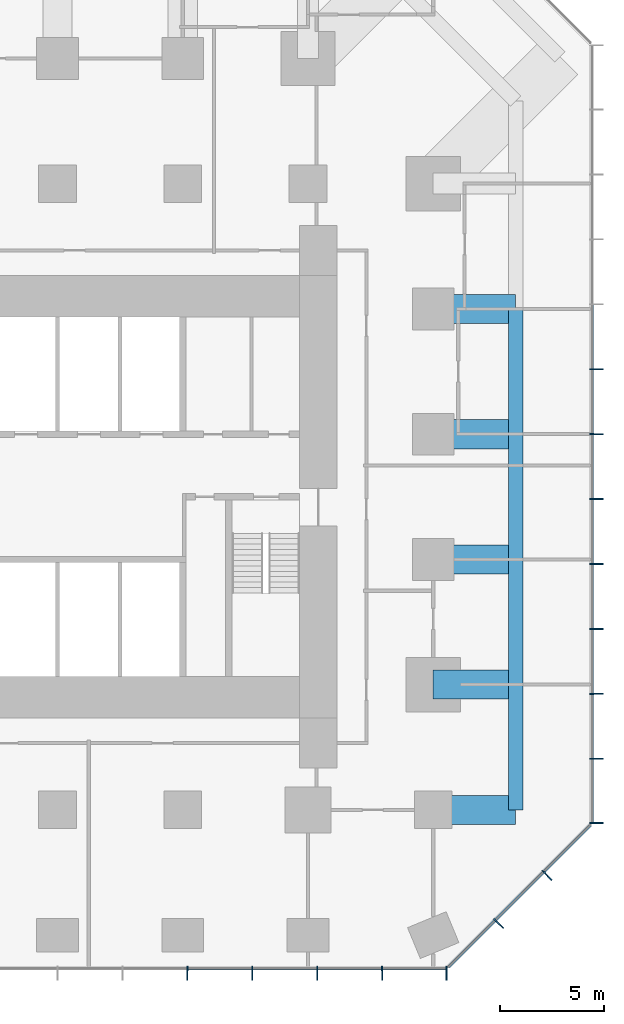
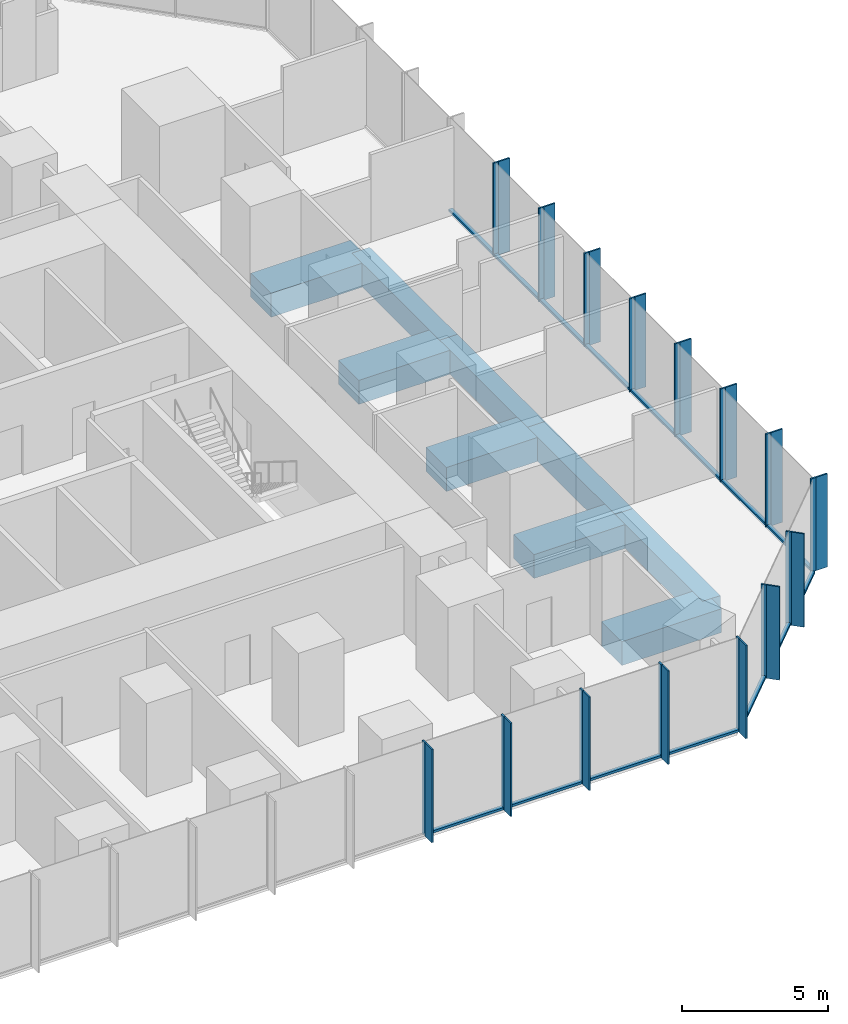
# One storey, part 4 of 12: 45 members, 9 beams, 3 elements without a shape of their own.
"""IFC4 building model written with IfcOpenShell, lengths in metres."""

from ifc_helpers import new_model, si_unit, direction, frame, origin, origin_2d, place, context, subcontext, project, spatial, rectangle, extrude, material, layer, layer_set, material_profile, profile_set, type_object, element, aggregate, save


model = new_model("IFC4")

# Units and contexts
model_context = context("Model", 3, precision=1e-05, world=origin(), true_north=direction((0.0, 1.0)))
body_context = subcontext(model_context, "Body", "Model", "MODEL_VIEW")
ifc_project = project(units=[si_unit("LENGTHUNIT", "METRE"), si_unit("AREAUNIT", "SQUARE_METRE"), si_unit("VOLUMEUNIT", "CUBIC_METRE"), si_unit("PLANEANGLEUNIT", "RADIAN"), si_unit("MASSUNIT", "GRAM", prefix="KILO")], contexts=[model_context])

# Site, building, storey
site_placement = place(None, origin())
site = spatial("IfcSite", under=ifc_project, at=site_placement, CompositionType="ELEMENT")
building_placement = place(site_placement, origin())
building = spatial("IfcBuilding", under=site, at=building_placement, Name="Highveld Stack Headquarters", CompositionType="ELEMENT")
storey_placement = place(building_placement, frame((0.0, 0.0, 72.800048828125)))
storey = spatial("IfcBuildingStorey", under=building, at=storey_placement, Name="L17", CompositionType="ELEMENT", Elevation=72.800048828125)

# Beams
ifc_material_1 = material(Name="Concrete C60/75", Category="concrete")
ifc_material_profile_1 = material_profile(ifc_material_1, rectangle(XDim=1.39990234375, YDim=1.0, at=origin_2d()), Name="RC 1400x1000")
ifc_profile_set_1 = profile_set([ifc_material_profile_1], Name="Concrete C60/75")
beam_type_1 = type_object("IfcBeamType", Name="CANTILEVER RIB RC 1400x1000", PredefinedType="USERDEFINED", material=ifc_profile_set_1)
for number, where, z_axis, x_axis, name in (
    (1, (24.0, -12.0, -0.75), (1.0, 0.0, 0.0), (0.0, 1.0, 0.0), "Cantilever rib 10/C L17"),
    (2, (24.0, -6.0, -0.75), (1.0, 0.0, 0.0), (0.0, 1.0, 0.0), "Cantilever rib 10/D L17"),
    (3, (24.0, 0.0, -0.75), (1.0, 0.0, 0.0), (0.0, 1.0, 0.0), "Cantilever rib 10/E L17"),
    (4, (24.0, 6.0, -0.75), (1.0, 0.0, 0.0), (0.0, 1.0, 0.0), "Cantilever rib 10/F L17"),
    (5, (24.0, 12.0, -0.75), (1.0, 0.0, 0.0), (0.0, 1.0, 0.0), "Cantilever rib 10/G L17"),
):
    element("IfcBeam", number, at=place(storey_placement, frame(where, z_axis=z_axis, x_axis=x_axis)), inside=storey, type_object=beam_type_1, Name=name, ObjectType="CANTILEVER RIB", PredefinedType="USERDEFINED", context=body_context, shape_type="SweptSolid", body=[
        extrude(rectangle(XDim=1.39990234375, YDim=1.0, at=origin_2d()), origin(), (0.0, 0.0, 1.0), 3.949951171875),
    ])

# Curtain wall, members
ifc_material_2 = material(Name="Aluminium bronze anodised", Category="aluminium")
ifc_layer_1 = layer(ifc_material_2, 0.199951171875)
ifc_layer_set_1 = layer_set([ifc_layer_1], Name="Aluminium bronze anodised")
curtain_wall_type_1 = type_object("IfcCurtainWallType", Name="CW1 TOWER UNITISED CURTAIN WALL", PredefinedType="NOTDEFINED", material=ifc_layer_set_1)
curtain_wall_1_placement = place(storey_placement, origin())
curtain_wall_1 = element("IfcCurtainWall", 6, at=curtain_wall_1_placement, inside=storey, type_object=curtain_wall_type_1, Name="Curtain wall CW1 L17 S", PredefinedType="NOTDEFINED")
ifc_material_3 = material(Name="Aluminium bronze anodised", Category="aluminium")
ifc_material_profile_2 = material_profile(ifc_material_3, rectangle(XDim=0.449951171875, YDim=0.06005859375, at=origin_2d()), Name="FIN 450x60")
ifc_profile_set_2 = profile_set([ifc_material_profile_2], Name="Aluminium bronze anodised")
member_type_1 = type_object("IfcMemberType", Name="CW1 BRONZE FIN 450x60", PredefinedType="USERDEFINED", material=ifc_profile_set_2)
member_1_placement = place(storey_placement, frame((12.220947265625, -19.925048828125, 0.0), z_axis=(0.0, 0.0, 1.0), x_axis=(0.0, 1.0, 0.0)))
member_1 = element("IfcMember", 7, at=member_1_placement, type_object=member_type_1, Name="CW1 fin L17 9", ObjectType="FIN", PredefinedType="USERDEFINED", context=body_context, shape_type="SweptSolid", body=[
    extrude(rectangle(XDim=0.449951171875, YDim=0.06005859375, at=origin_2d()), origin(), (0.0, 0.0, 1.0), 3.89990234375),
])
member_2_placement = place(storey_placement, frame((15.331298828125, -19.925048828125, 0.0), z_axis=(0.0, 0.0, 1.0), x_axis=(0.0, 1.0, 0.0)))
member_2 = element("IfcMember", 8, at=member_2_placement, type_object=member_type_1, Name="CW1 fin L17 10", ObjectType="FIN", PredefinedType="USERDEFINED", context=body_context, shape_type="SweptSolid", body=[
    extrude(rectangle(XDim=0.449951171875, YDim=0.06005859375, at=origin_2d()), origin(), (0.0, 0.0, 1.0), 3.89990234375),
])
member_3_placement = place(storey_placement, frame((18.44189453125, -19.925048828125, 0.0), z_axis=(0.0, 0.0, 1.0), x_axis=(0.0, 1.0, 0.0)))
member_3 = element("IfcMember", 9, at=member_3_placement, type_object=member_type_1, Name="CW1 fin L17 11", ObjectType="FIN", PredefinedType="USERDEFINED", context=body_context, shape_type="SweptSolid", body=[
    extrude(rectangle(XDim=0.449951171875, YDim=0.06005859375, at=origin_2d()), origin(), (0.0, 0.0, 1.0), 3.89990234375),
])
member_4_placement = place(storey_placement, frame((21.55224609375, -19.925048828125, 0.0), z_axis=(0.0, 0.0, 1.0), x_axis=(0.0, 1.0, 0.0)))
member_4 = element("IfcMember", 10, at=member_4_placement, type_object=member_type_1, Name="CW1 fin L17 12", ObjectType="FIN", PredefinedType="USERDEFINED", context=body_context, shape_type="SweptSolid", body=[
    extrude(rectangle(XDim=0.449951171875, YDim=0.06005859375, at=origin_2d()), origin(), (0.0, 0.0, 1.0), 3.89990234375),
])
member_5_placement = place(storey_placement, frame((24.630126953125, -19.925048828125, 0.0), z_axis=(0.0, 0.0, 1.0), x_axis=(0.0, 1.0, 0.0)))
member_5 = element("IfcMember", 11, at=member_5_placement, type_object=member_type_1, Name="CW1 fin L17 13", ObjectType="FIN", PredefinedType="USERDEFINED", context=body_context, shape_type="SweptSolid", body=[
    extrude(rectangle(XDim=0.449951171875, YDim=0.06005859375, at=origin_2d()), origin(), (0.0, 0.0, 1.0), 3.89990234375),
])

curtain_wall_2_placement = place(storey_placement, origin())
curtain_wall_2 = element("IfcCurtainWall", 12, at=curtain_wall_2_placement, inside=storey, type_object=curtain_wall_type_1, Name="Curtain wall CW1 L17 E", PredefinedType="NOTDEFINED")
member_6_placement = place(storey_placement, frame((31.925048828125, -12.630126953125, 0.0), z_axis=(0.0, 0.0, 1.0), x_axis=(-1.0, 0.0, 0.0)))
member_6 = element("IfcMember", 13, at=member_6_placement, type_object=member_type_1, Name="CW1 fin L17 1", ObjectType="FIN", PredefinedType="USERDEFINED", context=body_context, shape_type="SweptSolid", body=[
    extrude(rectangle(XDim=0.449951171875, YDim=0.06005859375, at=origin_2d()), origin(), (0.0, 0.0, 1.0), 3.89990234375),
])
member_7_placement = place(storey_placement, frame((31.925048828125, -9.55224609375, 0.0), z_axis=(0.0, 0.0, 1.0), x_axis=(-1.0, 0.0, 0.0)))
member_7 = element("IfcMember", 14, at=member_7_placement, type_object=member_type_1, Name="CW1 fin L17 2", ObjectType="FIN", PredefinedType="USERDEFINED", context=body_context, shape_type="SweptSolid", body=[
    extrude(rectangle(XDim=0.449951171875, YDim=0.06005859375, at=origin_2d()), origin(), (0.0, 0.0, 1.0), 3.89990234375),
])
member_8_placement = place(storey_placement, frame((31.925048828125, -6.44189453125, 0.0), z_axis=(0.0, 0.0, 1.0), x_axis=(-1.0, 0.0, 0.0)))
member_8 = element("IfcMember", 15, at=member_8_placement, type_object=member_type_1, Name="CW1 fin L17 3", ObjectType="FIN", PredefinedType="USERDEFINED", context=body_context, shape_type="SweptSolid", body=[
    extrude(rectangle(XDim=0.449951171875, YDim=0.06005859375, at=origin_2d()), origin(), (0.0, 0.0, 1.0), 3.89990234375),
])
member_9_placement = place(storey_placement, frame((31.925048828125, -3.331298828125, 0.0), z_axis=(0.0, 0.0, 1.0), x_axis=(-1.0, 0.0, 0.0)))
member_9 = element("IfcMember", 16, at=member_9_placement, type_object=member_type_1, Name="CW1 fin L17 4", ObjectType="FIN", PredefinedType="USERDEFINED", context=body_context, shape_type="SweptSolid", body=[
    extrude(rectangle(XDim=0.449951171875, YDim=0.06005859375, at=origin_2d()), origin(), (0.0, 0.0, 1.0), 3.89990234375),
])
member_10_placement = place(storey_placement, frame((31.925048828125, -0.220947265625, 0.0), z_axis=(0.0, 0.0, 1.0), x_axis=(-1.0, 0.0, 0.0)))
member_10 = element("IfcMember", 17, at=member_10_placement, type_object=member_type_1, Name="CW1 fin L17 5", ObjectType="FIN", PredefinedType="USERDEFINED", context=body_context, shape_type="SweptSolid", body=[
    extrude(rectangle(XDim=0.449951171875, YDim=0.06005859375, at=origin_2d()), origin(), (0.0, 0.0, 1.0), 3.89990234375),
])
member_11_placement = place(storey_placement, frame((31.925048828125, 2.8896484375, 0.0), z_axis=(0.0, 0.0, 1.0), x_axis=(-1.0, 0.0, 0.0)))
member_11 = element("IfcMember", 18, at=member_11_placement, type_object=member_type_1, Name="CW1 fin L17 6", ObjectType="FIN", PredefinedType="USERDEFINED", context=body_context, shape_type="SweptSolid", body=[
    extrude(rectangle(XDim=0.449951171875, YDim=0.06005859375, at=origin_2d()), origin(), (0.0, 0.0, 1.0), 3.89990234375),
])
member_12_placement = place(storey_placement, frame((31.925048828125, 6.0, 0.0), z_axis=(0.0, 0.0, 1.0), x_axis=(-1.0, 0.0, 0.0)))
member_12 = element("IfcMember", 19, at=member_12_placement, type_object=member_type_1, Name="CW1 fin L17 7", ObjectType="FIN", PredefinedType="USERDEFINED", context=body_context, shape_type="SweptSolid", body=[
    extrude(rectangle(XDim=0.449951171875, YDim=0.06005859375, at=origin_2d()), origin(), (0.0, 0.0, 1.0), 3.89990234375),
])
member_13_placement = place(storey_placement, frame((31.925048828125, 9.110595703125, 0.0), z_axis=(0.0, 0.0, 1.0), x_axis=(-1.0, 0.0, 0.0)))
member_13 = element("IfcMember", 20, at=member_13_placement, type_object=member_type_1, Name="CW1 fin L17 8", ObjectType="FIN", PredefinedType="USERDEFINED", context=body_context, shape_type="SweptSolid", body=[
    extrude(rectangle(XDim=0.449951171875, YDim=0.06005859375, at=origin_2d()), origin(), (0.0, 0.0, 1.0), 3.89990234375),
])

# Member
ifc_material_4 = material(Name="Aluminium bronze anodised", Category="aluminium")
ifc_material_profile_3 = material_profile(ifc_material_4, rectangle(XDim=0.199951171875, YDim=0.06494140625, at=origin_2d()), Name="CW1 MULLION 65x200")
ifc_profile_set_3 = profile_set([ifc_material_profile_3], Name="Aluminium bronze anodised")
member_type_2 = type_object("IfcMemberType", Name="CW1 MULLION 65x200", PredefinedType="MULLION", material=ifc_profile_set_3)
member_14_placement = place(storey_placement, frame((12.220947265625, -19.60009765625, 0.0), z_axis=(0.0, 0.0, 1.0), x_axis=(0.0, 1.0, 0.0)))
member_14 = element("IfcMember", 21, at=member_14_placement, type_object=member_type_2, Name="CW1 mullion L17 9", PredefinedType="MULLION", context=body_context, shape_type="SweptSolid", body=[
    extrude(rectangle(XDim=0.199951171875, YDim=0.06494140625, at=origin_2d()), origin(), (0.0, 0.0, 1.0), 3.89990234375),
])

member_15_placement = place(storey_placement, frame((15.331298828125, -19.60009765625, 0.0), z_axis=(0.0, 0.0, 1.0), x_axis=(0.0, 1.0, 0.0)))
member_15 = element("IfcMember", 22, at=member_15_placement, type_object=member_type_2, Name="CW1 mullion L17 10", PredefinedType="MULLION", context=body_context, shape_type="SweptSolid", body=[
    extrude(rectangle(XDim=0.199951171875, YDim=0.06494140625, at=origin_2d()), origin(), (0.0, 0.0, 1.0), 3.89990234375),
])

member_16_placement = place(storey_placement, frame((18.44189453125, -19.60009765625, 0.0), z_axis=(0.0, 0.0, 1.0), x_axis=(0.0, 1.0, 0.0)))
member_16 = element("IfcMember", 23, at=member_16_placement, type_object=member_type_2, Name="CW1 mullion L17 11", PredefinedType="MULLION", context=body_context, shape_type="SweptSolid", body=[
    extrude(rectangle(XDim=0.199951171875, YDim=0.06494140625, at=origin_2d()), origin(), (0.0, 0.0, 1.0), 3.89990234375),
])

member_17_placement = place(storey_placement, frame((21.55224609375, -19.60009765625, 0.0), z_axis=(0.0, 0.0, 1.0), x_axis=(0.0, 1.0, 0.0)))
member_17 = element("IfcMember", 24, at=member_17_placement, type_object=member_type_2, Name="CW1 mullion L17 12", PredefinedType="MULLION", context=body_context, shape_type="SweptSolid", body=[
    extrude(rectangle(XDim=0.199951171875, YDim=0.06494140625, at=origin_2d()), origin(), (0.0, 0.0, 1.0), 3.89990234375),
])

member_18_placement = place(storey_placement, frame((24.630126953125, -19.60009765625, 0.0), z_axis=(0.0, 0.0, 1.0), x_axis=(0.0, 1.0, 0.0)))
member_18 = element("IfcMember", 25, at=member_18_placement, type_object=member_type_2, Name="CW1 mullion L17 13", PredefinedType="MULLION", context=body_context, shape_type="SweptSolid", body=[
    extrude(rectangle(XDim=0.199951171875, YDim=0.06494140625, at=origin_2d()), origin(), (0.0, 0.0, 1.0), 3.89990234375),
])

member_19_placement = place(storey_placement, frame((31.60009765625, -12.630126953125, 0.0), z_axis=(0.0, 0.0, 1.0), x_axis=(-1.0, 0.0, 0.0)))
member_19 = element("IfcMember", 26, at=member_19_placement, type_object=member_type_2, Name="CW1 mullion L17 1", PredefinedType="MULLION", context=body_context, shape_type="SweptSolid", body=[
    extrude(rectangle(XDim=0.199951171875, YDim=0.06494140625, at=origin_2d()), origin(), (0.0, 0.0, 1.0), 3.89990234375),
])

member_20_placement = place(storey_placement, frame((31.60009765625, -9.55224609375, 0.0), z_axis=(0.0, 0.0, 1.0), x_axis=(-1.0, 0.0, 0.0)))
member_20 = element("IfcMember", 27, at=member_20_placement, type_object=member_type_2, Name="CW1 mullion L17 2", PredefinedType="MULLION", context=body_context, shape_type="SweptSolid", body=[
    extrude(rectangle(XDim=0.199951171875, YDim=0.06494140625, at=origin_2d()), origin(), (0.0, 0.0, 1.0), 3.89990234375),
])

member_21_placement = place(storey_placement, frame((31.60009765625, -6.44189453125, 0.0), z_axis=(0.0, 0.0, 1.0), x_axis=(-1.0, 0.0, 0.0)))
member_21 = element("IfcMember", 28, at=member_21_placement, type_object=member_type_2, Name="CW1 mullion L17 3", PredefinedType="MULLION", context=body_context, shape_type="SweptSolid", body=[
    extrude(rectangle(XDim=0.199951171875, YDim=0.06494140625, at=origin_2d()), origin(), (0.0, 0.0, 1.0), 3.89990234375),
])

member_22_placement = place(storey_placement, frame((31.60009765625, -3.331298828125, 0.0), z_axis=(0.0, 0.0, 1.0), x_axis=(-1.0, 0.0, 0.0)))
member_22 = element("IfcMember", 29, at=member_22_placement, type_object=member_type_2, Name="CW1 mullion L17 4", PredefinedType="MULLION", context=body_context, shape_type="SweptSolid", body=[
    extrude(rectangle(XDim=0.199951171875, YDim=0.06494140625, at=origin_2d()), origin(), (0.0, 0.0, 1.0), 3.89990234375),
])

member_23_placement = place(storey_placement, frame((31.60009765625, -0.220947265625, 0.0), z_axis=(0.0, 0.0, 1.0), x_axis=(-1.0, 0.0, 0.0)))
member_23 = element("IfcMember", 30, at=member_23_placement, type_object=member_type_2, Name="CW1 mullion L17 5", PredefinedType="MULLION", context=body_context, shape_type="SweptSolid", body=[
    extrude(rectangle(XDim=0.199951171875, YDim=0.06494140625, at=origin_2d()), origin(), (0.0, 0.0, 1.0), 3.89990234375),
])

member_24_placement = place(storey_placement, frame((31.60009765625, 2.8896484375, 0.0), z_axis=(0.0, 0.0, 1.0), x_axis=(-1.0, 0.0, 0.0)))
member_24 = element("IfcMember", 31, at=member_24_placement, type_object=member_type_2, Name="CW1 mullion L17 6", PredefinedType="MULLION", context=body_context, shape_type="SweptSolid", body=[
    extrude(rectangle(XDim=0.199951171875, YDim=0.06494140625, at=origin_2d()), origin(), (0.0, 0.0, 1.0), 3.89990234375),
])

member_25_placement = place(storey_placement, frame((31.60009765625, 6.0, 0.0), z_axis=(0.0, 0.0, 1.0), x_axis=(-1.0, 0.0, 0.0)))
member_25 = element("IfcMember", 32, at=member_25_placement, type_object=member_type_2, Name="CW1 mullion L17 7", PredefinedType="MULLION", context=body_context, shape_type="SweptSolid", body=[
    extrude(rectangle(XDim=0.199951171875, YDim=0.06494140625, at=origin_2d()), origin(), (0.0, 0.0, 1.0), 3.89990234375),
])

member_26_placement = place(storey_placement, frame((31.60009765625, 9.110595703125, 0.0), z_axis=(0.0, 0.0, 1.0), x_axis=(-1.0, 0.0, 0.0)))
member_26 = element("IfcMember", 33, at=member_26_placement, type_object=member_type_2, Name="CW1 mullion L17 8", PredefinedType="MULLION", context=body_context, shape_type="SweptSolid", body=[
    extrude(rectangle(XDim=0.199951171875, YDim=0.06494140625, at=origin_2d()), origin(), (0.0, 0.0, 1.0), 3.89990234375),
])

ifc_material_5 = material(Name="Aluminium bronze anodised", Category="aluminium")
ifc_material_profile_4 = material_profile(ifc_material_5, rectangle(XDim=0.14990234375, YDim=0.10009765625, at=origin_2d()), Name="CW1 TRANSOM 150x100")
ifc_profile_set_4 = profile_set([ifc_material_profile_4], Name="Aluminium bronze anodised")
member_type_3 = type_object("IfcMemberType", Name="CW1 STACK TRANSOM 150x100", PredefinedType="USERDEFINED", material=ifc_profile_set_4)
member_27_placement = place(storey_placement, frame((12.25341796875, -19.60009765625, 0.050048828125), z_axis=(1.0, 0.0, 0.0), x_axis=(0.0, 1.0, 0.0)))
member_27 = element("IfcMember", 34, at=member_27_placement, type_object=member_type_3, Name="CW1 transom L17 9.1", ObjectType="TRANSOM", PredefinedType="USERDEFINED", context=body_context, shape_type="SweptSolid", body=[
    extrude(rectangle(XDim=0.14990234375, YDim=0.10009765625, at=origin_2d()), origin(), (0.0, 0.0, 1.0), 3.04541015625),
])

member_28_placement = place(storey_placement, frame((15.364013671875, -19.60009765625, 0.050048828125), z_axis=(1.0, 0.0, 0.0), x_axis=(0.0, 1.0, 0.0)))
member_28 = element("IfcMember", 35, at=member_28_placement, type_object=member_type_3, Name="CW1 transom L17 10.1", ObjectType="TRANSOM", PredefinedType="USERDEFINED", context=body_context, shape_type="SweptSolid", body=[
    extrude(rectangle(XDim=0.14990234375, YDim=0.10009765625, at=origin_2d()), origin(), (0.0, 0.0, 1.0), 3.045166015625),
])

member_29_placement = place(storey_placement, frame((18.474365234375, -19.60009765625, 0.050048828125), z_axis=(1.0, 0.0, 0.0), x_axis=(0.0, 1.0, 0.0)))
member_29 = element("IfcMember", 36, at=member_29_placement, type_object=member_type_3, Name="CW1 transom L17 11.1", ObjectType="TRANSOM", PredefinedType="USERDEFINED", context=body_context, shape_type="SweptSolid", body=[
    extrude(rectangle(XDim=0.14990234375, YDim=0.10009765625, at=origin_2d()), origin(), (0.0, 0.0, 1.0), 3.04541015625),
])

member_30_placement = place(storey_placement, frame((21.584716796875, -19.60009765625, 0.050048828125), z_axis=(1.0, 0.0, 0.0), x_axis=(0.0, 1.0, 0.0)))
member_30 = element("IfcMember", 37, at=member_30_placement, type_object=member_type_3, Name="CW1 transom L17 12.1", ObjectType="TRANSOM", PredefinedType="USERDEFINED", context=body_context, shape_type="SweptSolid", body=[
    extrude(rectangle(XDim=0.14990234375, YDim=0.10009765625, at=origin_2d()), origin(), (0.0, 0.0, 1.0), 3.012939453125),
])

aggregate(curtain_wall_1, [member_14, member_1, member_15, member_2, member_16, member_3, member_17, member_4, member_18, member_5, member_27, member_28, member_29, member_30])

member_31_placement = place(storey_placement, frame((31.60009765625, -12.59765625, 0.050048828125), z_axis=(0.0, 1.0, 0.0), x_axis=(-1.0, 0.0, 0.0)))
member_31 = element("IfcMember", 38, at=member_31_placement, type_object=member_type_3, Name="CW1 transom L17 1.1", ObjectType="TRANSOM", PredefinedType="USERDEFINED", context=body_context, shape_type="SweptSolid", body=[
    extrude(rectangle(XDim=0.14990234375, YDim=0.10009765625, at=origin_2d()), origin(), (0.0, 0.0, 1.0), 3.012939453125),
])

member_32_placement = place(storey_placement, frame((31.60009765625, -9.519775390625, 0.050048828125), z_axis=(0.0, 1.0, 0.0), x_axis=(-1.0, 0.0, 0.0)))
member_32 = element("IfcMember", 39, at=member_32_placement, type_object=member_type_3, Name="CW1 transom L17 2.1", ObjectType="TRANSOM", PredefinedType="USERDEFINED", context=body_context, shape_type="SweptSolid", body=[
    extrude(rectangle(XDim=0.14990234375, YDim=0.10009765625, at=origin_2d()), origin(), (0.0, 0.0, 1.0), 3.04541015625),
])

member_33_placement = place(storey_placement, frame((31.60009765625, -6.4091796875, 0.050048828125), z_axis=(0.0, 1.0, 0.0), x_axis=(-1.0, 0.0, 0.0)))
member_33 = element("IfcMember", 40, at=member_33_placement, type_object=member_type_3, Name="CW1 transom L17 3.1", ObjectType="TRANSOM", PredefinedType="USERDEFINED", context=body_context, shape_type="SweptSolid", body=[
    extrude(rectangle(XDim=0.14990234375, YDim=0.10009765625, at=origin_2d()), origin(), (0.0, 0.0, 1.0), 3.04541015625),
])

member_34_placement = place(storey_placement, frame((31.60009765625, -3.298828125, 0.050048828125), z_axis=(0.0, 1.0, 0.0), x_axis=(-1.0, 0.0, 0.0)))
member_34 = element("IfcMember", 41, at=member_34_placement, type_object=member_type_3, Name="CW1 transom L17 4.1", ObjectType="TRANSOM", PredefinedType="USERDEFINED", context=body_context, shape_type="SweptSolid", body=[
    extrude(rectangle(XDim=0.14990234375, YDim=0.10009765625, at=origin_2d()), origin(), (0.0, 0.0, 1.0), 3.04541015625),
])

member_35_placement = place(storey_placement, frame((31.60009765625, -0.1884765625, 0.050048828125), z_axis=(0.0, 1.0, 0.0), x_axis=(-1.0, 0.0, 0.0)))
member_35 = element("IfcMember", 42, at=member_35_placement, type_object=member_type_3, Name="CW1 transom L17 5.1", ObjectType="TRANSOM", PredefinedType="USERDEFINED", context=body_context, shape_type="SweptSolid", body=[
    extrude(rectangle(XDim=0.14990234375, YDim=0.10009765625, at=origin_2d()), origin(), (0.0, 0.0, 1.0), 3.045654296875),
])

member_36_placement = place(storey_placement, frame((31.60009765625, 2.922119140625, 0.050048828125), z_axis=(0.0, 1.0, 0.0), x_axis=(-1.0, 0.0, 0.0)))
member_36 = element("IfcMember", 43, at=member_36_placement, type_object=member_type_3, Name="CW1 transom L17 6.1", ObjectType="TRANSOM", PredefinedType="USERDEFINED", context=body_context, shape_type="SweptSolid", body=[
    extrude(rectangle(XDim=0.14990234375, YDim=0.10009765625, at=origin_2d()), origin(), (0.0, 0.0, 1.0), 3.04541015625),
])

member_37_placement = place(storey_placement, frame((31.60009765625, 6.032470703125, 0.050048828125), z_axis=(0.0, 1.0, 0.0), x_axis=(-1.0, 0.0, 0.0)))
member_37 = element("IfcMember", 44, at=member_37_placement, type_object=member_type_3, Name="CW1 transom L17 7.1", ObjectType="TRANSOM", PredefinedType="USERDEFINED", context=body_context, shape_type="SweptSolid", body=[
    extrude(rectangle(XDim=0.14990234375, YDim=0.10009765625, at=origin_2d()), origin(), (0.0, 0.0, 1.0), 3.04541015625),
])

member_38_placement = place(storey_placement, frame((31.60009765625, 9.14306640625, 0.050048828125), z_axis=(0.0, 1.0, 0.0), x_axis=(-1.0, 0.0, 0.0)))
member_38 = element("IfcMember", 45, at=member_38_placement, type_object=member_type_3, Name="CW1 transom L17 8.1", ObjectType="TRANSOM", PredefinedType="USERDEFINED", context=body_context, shape_type="SweptSolid", body=[
    extrude(rectangle(XDim=0.14990234375, YDim=0.10009765625, at=origin_2d()), origin(), (0.0, 0.0, 1.0), 3.04541015625),
])

aggregate(curtain_wall_2, [member_19, member_6, member_20, member_7, member_21, member_8, member_22, member_9, member_23, member_10, member_24, member_11, member_25, member_12, member_26, member_13, member_31, member_32, member_33, member_34, member_35, member_36, member_37, member_38])

# Curtain wall, members
ifc_material_6 = material(Name="Aluminium bronze anodised", Category="aluminium")
ifc_layer_2 = layer(ifc_material_6, 0.199951171875)
ifc_layer_set_2 = layer_set([ifc_layer_2], Name="Aluminium bronze anodised")
curtain_wall_type_2 = type_object("IfcCurtainWallType", Name="CW2 TOWER CHAMFER UNITISED CURTAIN WALL", PredefinedType="NOTDEFINED", material=ifc_layer_set_2)
curtain_wall_3_placement = place(storey_placement, origin())
curtain_wall_3 = element("IfcCurtainWall", 46, at=curtain_wall_3_placement, inside=storey, type_object=curtain_wall_type_2, Name="Curtain wall CW2 L17 SE", PredefinedType="NOTDEFINED")
ifc_material_7 = material(Name="Aluminium bronze anodised", Category="aluminium")
ifc_material_profile_5 = material_profile(ifc_material_7, rectangle(XDim=0.449951171875, YDim=0.06005859375, at=origin_2d()), Name="FIN 450x60")
ifc_profile_set_5 = profile_set([ifc_material_profile_5], Name="Aluminium bronze anodised")
member_type_4 = type_object("IfcMemberType", Name="CW2 BRONZE FIN 450x60", PredefinedType="USERDEFINED", material=ifc_profile_set_5)
member_39_placement = place(storey_placement, frame((27.204833984375, -17.517333984375, 0.0), z_axis=(0.0, 0.0, 1.0), x_axis=(-0.707106781187, 0.707106781187, 0.0)))
member_39 = element("IfcMember", 47, at=member_39_placement, type_object=member_type_4, Name="CW2 fin L17 1", ObjectType="FIN", PredefinedType="USERDEFINED", context=body_context, shape_type="SweptSolid", body=[
    extrude(rectangle(XDim=0.449951171875, YDim=0.06005859375, at=origin_2d()), origin(), (0.0, 0.0, 1.0), 3.89990234375),
])
member_40_placement = place(storey_placement, frame((29.517333984375, -15.204833984375, 0.0), z_axis=(0.0, 0.0, 1.0), x_axis=(-0.707106781187, 0.707106781187, 0.0)))
member_40 = element("IfcMember", 48, at=member_40_placement, type_object=member_type_4, Name="CW2 fin L17 2", ObjectType="FIN", PredefinedType="USERDEFINED", context=body_context, shape_type="SweptSolid", body=[
    extrude(rectangle(XDim=0.449951171875, YDim=0.06005859375, at=origin_2d()), origin(), (0.0, 0.0, 1.0), 3.89990234375),
])
ifc_material_8 = material(Name="Aluminium bronze anodised", Category="aluminium")
ifc_material_profile_6 = material_profile(ifc_material_8, rectangle(XDim=0.199951171875, YDim=0.06494140625, at=origin_2d()), Name="CW2 MULLION 65x200")
ifc_profile_set_6 = profile_set([ifc_material_profile_6], Name="Aluminium bronze anodised")
member_type_5 = type_object("IfcMemberType", Name="CW2 MULLION 65x200", PredefinedType="MULLION", material=ifc_profile_set_6)
member_41_placement = place(storey_placement, frame((26.97509765625, -17.28759765625, 0.0), z_axis=(0.0, 0.0, 1.0), x_axis=(-0.707106781187, 0.707106781187, 0.0)))
member_41 = element("IfcMember", 49, at=member_41_placement, type_object=member_type_5, Name="CW2 mullion L17 1", PredefinedType="MULLION", context=body_context, shape_type="SweptSolid", body=[
    extrude(rectangle(XDim=0.199951171875, YDim=0.06494140625, at=origin_2d()), origin(), (0.0, 0.0, 1.0), 3.89990234375),
])
member_42_placement = place(storey_placement, frame((29.28759765625, -14.97509765625, 0.0), z_axis=(0.0, 0.0, 1.0), x_axis=(-0.707106781187, 0.707106781187, 0.0)))
member_42 = element("IfcMember", 50, at=member_42_placement, type_object=member_type_5, Name="CW2 mullion L17 2", PredefinedType="MULLION", context=body_context, shape_type="SweptSolid", body=[
    extrude(rectangle(XDim=0.199951171875, YDim=0.06494140625, at=origin_2d()), origin(), (0.0, 0.0, 1.0), 3.89990234375),
])
ifc_material_9 = material(Name="Aluminium bronze anodised", Category="aluminium")
ifc_material_profile_7 = material_profile(ifc_material_9, rectangle(XDim=0.14990234375, YDim=0.10009765625, at=origin_2d()), Name="CW2 TRANSOM 150x100")
ifc_profile_set_7 = profile_set([ifc_material_profile_7], Name="Aluminium bronze anodised")
member_type_6 = type_object("IfcMemberType", Name="CW2 STACK TRANSOM 150x100", PredefinedType="USERDEFINED", material=ifc_profile_set_7)
member_43_placement = place(storey_placement, frame((24.7333984375, -19.529296875, 0.050048828125), z_axis=(0.707106781187, 0.707106781187, 0.0), x_axis=(-0.707106781187, 0.707106781187, 0.0)))
member_43 = element("IfcMember", 51, at=member_43_placement, type_object=member_type_6, Name="CW2 transom L17 1.1", ObjectType="TRANSOM", PredefinedType="USERDEFINED", context=body_context, shape_type="SweptSolid", body=[
    extrude(rectangle(XDim=0.14990234375, YDim=0.10009765625, at=origin_2d()), origin(), (0.0, 0.0, 1.0), 3.1376953125),
])
member_44_placement = place(storey_placement, frame((26.998046875, -17.2646484375, 0.050048828125), z_axis=(0.707106781187, 0.707106781187, 0.0), x_axis=(-0.707106781187, 0.707106781187, 0.0)))
member_44 = element("IfcMember", 52, at=member_44_placement, type_object=member_type_6, Name="CW2 transom L17 2.1", ObjectType="TRANSOM", PredefinedType="USERDEFINED", context=body_context, shape_type="SweptSolid", body=[
    extrude(rectangle(XDim=0.14990234375, YDim=0.10009765625, at=origin_2d()), origin(), (0.0, 0.0, 1.0), 3.20556640625),
])
member_45_placement = place(storey_placement, frame((29.310546875, -14.9521484375, 0.050048828125), z_axis=(0.707106781187, 0.707106781187, 0.0), x_axis=(-0.707106781187, 0.707106781187, 0.0)))
member_45 = element("IfcMember", 53, at=member_45_placement, type_object=member_type_6, Name="CW2 transom L17 3.1", ObjectType="TRANSOM", PredefinedType="USERDEFINED", context=body_context, shape_type="SweptSolid", body=[
    extrude(rectangle(XDim=0.14990234375, YDim=0.10009765625, at=origin_2d()), origin(), (0.0, 0.0, 1.0), 3.1376953125),
])
aggregate(curtain_wall_3, [member_41, member_39, member_42, member_40, member_43, member_44, member_45])

# Beams
ifc_material_10 = material(Name="Concrete C60/75", Category="concrete")
ifc_material_profile_8 = material_profile(ifc_material_10, rectangle(XDim=0.699951171875, YDim=1.0, at=origin_2d()), Name="RC 700x1000")
ifc_profile_set_8 = profile_set([ifc_material_profile_8], Name="Concrete C60/75")
beam_type_2 = type_object("IfcBeamType", Name="RIB TIP BEAM RC 700x1000", PredefinedType="SPANDREL", material=ifc_profile_set_8)
for number, where, z_axis, x_axis, name in (
    (54, (27.949951171875, -12.0, -0.75), (0.0, 1.0, 0.0), (-1.0, 0.0, 0.0), "Rib tip beam 10/C to 10/D L17"),
    (55, (27.949951171875, -6.0, -0.75), (0.0, 1.0, 0.0), (-1.0, 0.0, 0.0), "Rib tip beam 10/D to 10/E L17"),
    (56, (27.949951171875, 0.0, -0.75), (0.0, 1.0, 0.0), (-1.0, 0.0, 0.0), "Rib tip beam 10/E to 10/F L17"),
    (57, (27.949951171875, 6.0, -0.75), (0.0, 1.0, 0.0), (-1.0, 0.0, 0.0), "Rib tip beam 10/F to 10/G L17"),
):
    element("IfcBeam", number, at=place(storey_placement, frame(where, z_axis=z_axis, x_axis=x_axis)), inside=storey, type_object=beam_type_2, Name=name, PredefinedType="SPANDREL", context=body_context, shape_type="SweptSolid", body=[
        extrude(rectangle(XDim=0.699951171875, YDim=1.0, at=origin_2d()), origin(), (0.0, 0.0, 1.0), 6.0),
    ])

save(model, "model.ifc")
